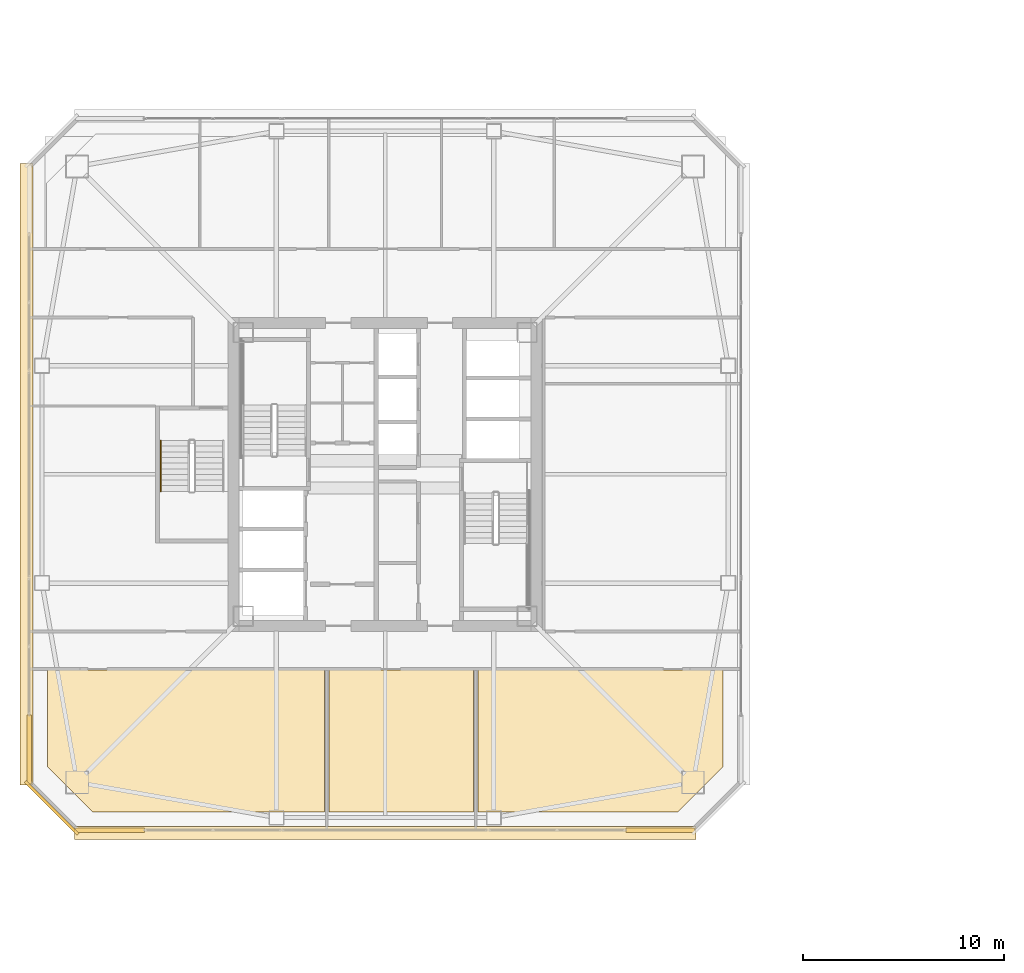
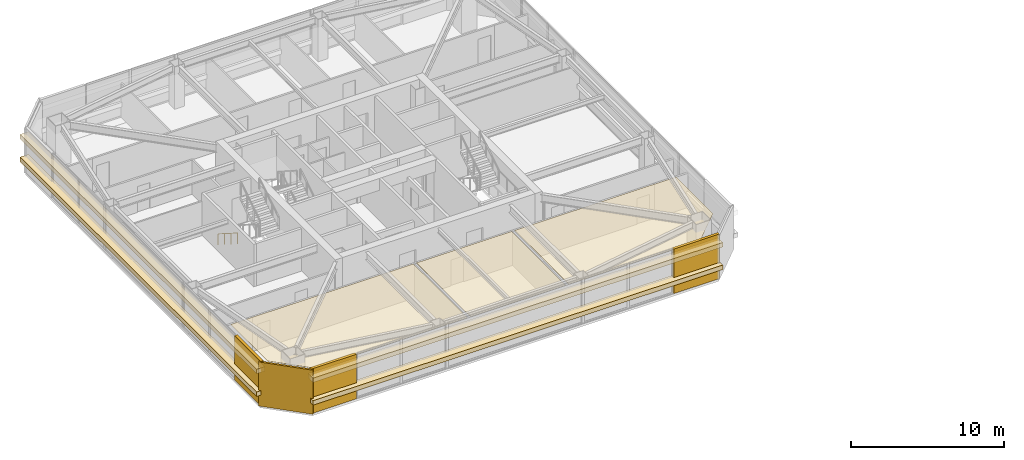
# One storey, part 38 of 43: 11 coverings, 1 railing.
"""IFC4 building model written with IfcOpenShell, lengths in metres."""

from ifc_helpers import new_model, si_unit, direction, frame, origin, origin_2d, place, context, subcontext, project, spatial, polyline, rectangle, outline, extrude, material, layer, layer_set, type_object, element, save


model = new_model("IFC4")

# Units and contexts
model_context = context("Model", 3, precision=1e-05, world=origin(), true_north=direction((0.0, 1.0)))
body_context = subcontext(model_context, "Body", "Model", "MODEL_VIEW")
ifc_project = project(units=[si_unit("LENGTHUNIT", "METRE"), si_unit("AREAUNIT", "SQUARE_METRE"), si_unit("VOLUMEUNIT", "CUBIC_METRE"), si_unit("PLANEANGLEUNIT", "RADIAN"), si_unit("MASSUNIT", "GRAM", prefix="KILO")], contexts=[model_context])

# Site, building, storey
site_placement = place(None, origin())
site = spatial("IfcSite", under=ifc_project, at=site_placement, CompositionType="ELEMENT")
building_placement = place(site_placement, origin())
building = spatial("IfcBuilding", under=site, at=building_placement, Name="Tashvorn Skyway Center", CompositionType="ELEMENT")
storey_placement = place(building_placement, frame((0.0, 0.0, 160.550048828125)))
storey = spatial("IfcBuildingStorey", under=building, at=storey_placement, Name="L43", CompositionType="ELEMENT", Elevation=160.550048828125)

# Coverings
ifc_material_1 = material(Name="Precast concrete C40/50", Category="concrete")
ifc_layer_1 = layer(ifc_material_1, 0.199951171875)
ifc_layer_set_1 = layer_set([ifc_layer_1], Name="Precast concrete C40/50")
covering_type_1 = type_object("IfcCoveringType", Name="COV-BRACE-CLAD", PredefinedType="CLADDING", material=ifc_layer_set_1)
for number, where, z_axis, x_axis, name in (
    (1, (55.671142578125, 14.320068359375, 0.0), (0.0, 0.0, 1.0), (-1.0, 0.0, 0.0), "Tower 1 L43 South Unitised Curtain Wall Mega-Brace Cladding Band 1"),
    (2, (28.328857421875, 14.320068359375, 0.0), (0.0, 0.0, 1.0), (-1.0, 0.0, 0.0), "Tower 1 L43 South Unitised Curtain Wall Mega-Brace Cladding Band 2"),
    (3, (24.320068359375, 18.328857421875, 0.0), (0.0, 0.0, 1.0), (0.0, 1.0, 0.0), "Tower 1 L43 West Unitised Curtain Wall Mega-Brace Cladding Band 1"),
):
    element("IfcCovering", number, at=place(storey_placement, frame(where, z_axis=z_axis, x_axis=x_axis)), inside=storey, type_object=covering_type_1, Name=name, PredefinedType="CLADDING", context=body_context, shape_type="SweptSolid", body=[
        extrude(rectangle(XDim=3.417724609375, YDim=0.199951171875, at=origin_2d()), origin(), (0.0, 0.0, 1.0), 3.550048828125),
    ])
ifc_material_2 = material(Name="Mineral-fibre acoustic ceiling tile on suspended grid")
ifc_layer_2 = layer(ifc_material_2, 0.02001953125)
ifc_layer_set_2 = layer_set([ifc_layer_2], Name="Mineral-fibre acoustic ceiling tile on suspended grid")
covering_type_2 = type_object("IfcCoveringType", Name="COV-CEIL-20", PredefinedType="CEILING", material=ifc_layer_set_2)
covering_1_placement = place(storey_placement, frame((0.0, 0.0, 2.702880859375)))
element("IfcCovering", 4, at=covering_1_placement, inside=storey, type_object=covering_type_2, Name="Tower 1 L43 Research Library Acoustic Ceiling", PredefinedType="CEILING", context=body_context, shape_type="SweptSolid", body=[
    extrude(outline(polyline([(25.219970703125, 22.2900390625), (38.97998046875, 22.2900390625), (38.97998046875, 15.219970703125), (27.47998046875, 15.219970703125), (25.219970703125, 17.47998046875), (25.219970703125, 22.2900390625)])), origin(), (0.0, 0.0, 1.0), 0.02001953125),
])
covering_2_placement = place(storey_placement, frame((0.0, 0.0, 2.702880859375)))
element("IfcCovering", 5, at=covering_2_placement, inside=storey, type_object=covering_type_2, Name="Tower 1 L43 Staff Fitness Club Acoustic Ceiling", PredefinedType="CEILING", context=body_context, shape_type="SweptSolid", body=[
    extrude(outline(polyline([(39.219970703125, 22.2900390625), (46.3798828125, 22.2900390625), (46.3798828125, 15.219970703125), (39.219970703125, 15.219970703125), (39.219970703125, 22.2900390625)])), origin(), (0.0, 0.0, 1.0), 0.02001953125),
])
covering_3_placement = place(storey_placement, frame((0.0, 0.0, 2.702880859375)))
element("IfcCovering", 6, at=covering_3_placement, inside=storey, type_object=covering_type_2, Name="Tower 1 L43 Staff Fitness Club Acoustic Ceiling", PredefinedType="CEILING", context=body_context, shape_type="SweptSolid", body=[
    extrude(outline(polyline([(46.6201171875, 15.219970703125), (46.6201171875, 22.2900390625), (58.780029296875, 22.2900390625), (58.780029296875, 17.47998046875), (56.52001953125, 15.219970703125), (46.6201171875, 15.219970703125)])), origin(), (0.0, 0.0, 1.0), 0.02001953125),
])
ifc_material_3 = material(Name="Perforated ceramic-coated bronze aluminium solar screen", Category="aluminium")
ifc_layer_3 = layer(ifc_material_3, 0.85009765625)
ifc_layer_set_3 = layer_set([ifc_layer_3], Name="Perforated ceramic-coated bronze aluminium solar screen")
covering_type_3 = type_object("IfcCoveringType", Name="COV-SOLAR-BAND", PredefinedType="CLADDING", material=ifc_layer_set_3)
for number, where, z_axis, x_axis, name in (
    (7, (42.0, 14.179931640625, 0.919921875), (0.0, 0.0, 1.0), (-1.0, 0.0, 0.0), "L43 Perforated Ceramic-Metal Solar Screen Louvre Band South 1"),
    (8, (42.0, 14.179931640625, 2.7197265625), (0.0, 0.0, 1.0), (-1.0, 0.0, 0.0), "L43 Perforated Ceramic-Metal Solar Screen Louvre Band South 2"),
    (9, (24.179931640625, 32.0, 0.919921875), (0.0, 0.0, 1.0), (0.0, 1.0, 0.0), "L43 Perforated Ceramic-Metal Solar Screen Louvre Band West 1"),
    (10, (24.179931640625, 32.0, 2.7197265625), (0.0, 0.0, 1.0), (0.0, 1.0, 0.0), "L43 Perforated Ceramic-Metal Solar Screen Louvre Band West 2"),
):
    element("IfcCovering", number, at=place(storey_placement, frame(where, z_axis=z_axis, x_axis=x_axis)), inside=storey, type_object=covering_type_3, Name=name, PredefinedType="CLADDING", context=body_context, shape_type="SweptSolid", body=[
        extrude(rectangle(XDim=30.8798828125, YDim=0.639892578125, at=origin_2d()), origin(), (0.0, 0.0, 1.0), 0.360107421875),
    ])
ifc_layer_4 = layer(ifc_material_1, 0.35009765625)
ifc_layer_set_4 = layer_set([ifc_layer_4], Name="Precast concrete C40/50")
covering_type_4 = type_object("IfcCoveringType", Name="COV-STONE-TRIM", PredefinedType="CLADDING", material=ifc_layer_set_4)
covering_4_placement = place(storey_placement, frame((25.429931640625, 15.429931640625, 0.02001953125), z_axis=(0.0, 0.0, 1.0), x_axis=(-0.707106781187, 0.707106781187, 0.0)))
element("IfcCovering", 11, at=covering_4_placement, inside=storey, type_object=covering_type_4, Name="Tower 1 L43 SW Mojave Limestone Corner Quoin", PredefinedType="CLADDING", context=body_context, shape_type="SweptSolid", body=[
    extrude(rectangle(XDim=3.695556640625, YDim=0.139892578125, at=origin_2d()), origin(), (0.0, 0.0, 1.0), 3.510009765625),
])

# Railing
ifc_material_4 = material(Name="Brushed stainless steel 316", Category="steel")
railing_type = type_object("IfcRailingType", Name="RAIL-HAND-920", PredefinedType="HANDRAIL", material=ifc_material_4)
railing_placement = place(storey_placement, frame((30.85009765625, 33.679931640625, 0.177490234375)))
element("IfcRailing", 12, at=railing_placement, inside=storey, type_object=railing_type, Name="L43 ST-T1-3 stair handrail 1", PredefinedType="HANDRAIL", context=body_context, shape_type="SweptSolid", body=[
    extrude(rectangle(XDim=0.048095703125, YDim=0.048095703125, at=origin_2d()), frame((0.0, 0.0, 0.8759765625), z_axis=(0.0, -0.84460694969, 0.535386869969), x_axis=(1.0, 0.0, 0.0)), (0.0, 0.0, 1.0), 2.983642578125),
    extrude(rectangle(XDim=0.0419921875, YDim=0.0419921875, at=origin_2d()), origin(), (0.0, 0.0, 1.0), 0.851806640625),
    extrude(rectangle(XDim=0.0419921875, YDim=0.0419921875, at=origin_2d()), frame((0.0, -0.840087890625, 0.532470703125)), (0.0, 0.0, 1.0), 0.851806640625),
    extrude(rectangle(XDim=0.0419921875, YDim=0.0419921875, at=origin_2d()), frame((0.0, -1.679931640625, 1.06494140625)), (0.0, 0.0, 1.0), 0.851806640625),
    extrude(rectangle(XDim=0.0419921875, YDim=0.0419921875, at=origin_2d()), frame((0.0, -2.52001953125, 1.597412109375)), (0.0, 0.0, 1.0), 0.851806640625),
])

save(model, "model.ifc")
